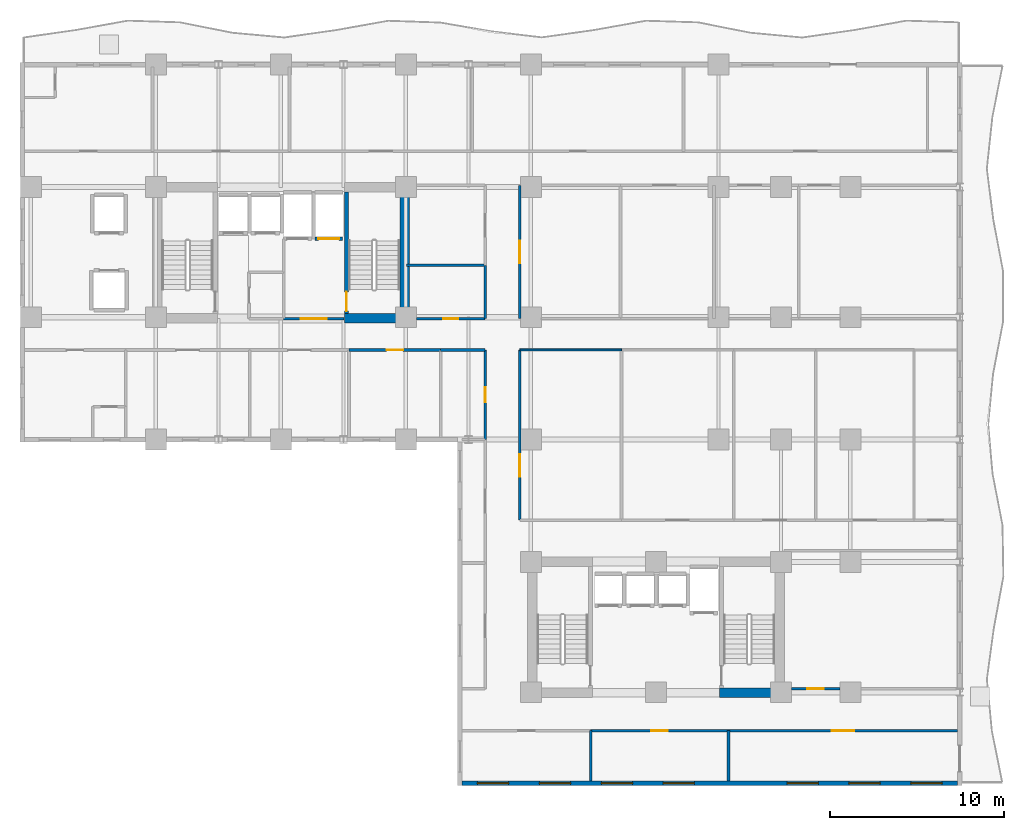
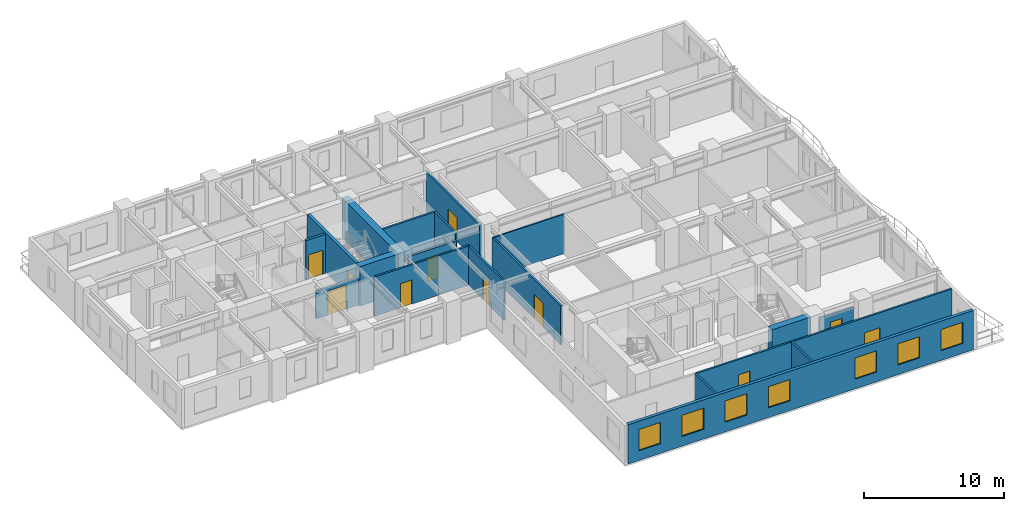
# One storey, part 4 of 11: 21 walls, 11 doors, 7 windows, 18 openings.
"""IFC4 building model written with IfcOpenShell, lengths in metres."""

from ifc_helpers import new_model, si_unit, direction, frame, frame_2d, origin, place, context, subcontext, project, spatial, rectangle, extrude, material, layer, layer_set, type_object, element, fill, save


model = new_model("IFC4")

# Units and contexts
model_context = context("Model", 3, precision=1e-05, world=origin(), true_north=direction((0.0, 1.0)))
body_context = subcontext(model_context, "Body", "Model", "MODEL_VIEW")
ifc_project = project(units=[si_unit("LENGTHUNIT", "METRE"), si_unit("AREAUNIT", "SQUARE_METRE"), si_unit("VOLUMEUNIT", "CUBIC_METRE"), si_unit("PLANEANGLEUNIT", "RADIAN"), si_unit("MASSUNIT", "GRAM", prefix="KILO")], contexts=[model_context])

# Site, building, storey
site_placement = place(None, origin())
site = spatial("IfcSite", under=ifc_project, at=site_placement, CompositionType="ELEMENT")
building_placement = place(site_placement, origin())
building = spatial("IfcBuilding", under=site, at=building_placement, Name="Kaliganga Portal Commons", CompositionType="ELEMENT")
storey_placement = place(building_placement, frame((0.0, 0.0, 100.800048828125)))
storey = spatial("IfcBuildingStorey", under=building, at=storey_placement, Name="L25", CompositionType="ELEMENT", Elevation=100.800048828125)

# Walls
ifc_material_1 = material(Name="Concrete C60/75", Category="concrete")
ifc_layer_1 = layer(ifc_material_1, 0.550048828125)
ifc_layer_set_1 = layer_set([ifc_layer_1], Name="Concrete C60/75")
wall_type_1 = type_object("IfcWallType", Name="WL-CORE-550", PredefinedType="SHEAR", material=ifc_layer_set_1)
wall_1_placement = place(storey_placement, frame((28.72509765625, 28.300048828125, 0.0), z_axis=(0.0, 0.0, 1.0), x_axis=(0.0, 1.0, 0.0)))
element("IfcWall", 1, at=wall_1_placement, inside=storey, type_object=wall_type_1, Name="Core A East Shear Wall L25", PredefinedType="SHEAR", context=body_context, shape_type="SweptSolid", body=[
    extrude(rectangle(XDim=8.099853515625, YDim=0.550048828125, at=frame_2d((4.0498046875, 0.0))), origin(), (0.0, 0.0, 1.0), 3.449951171875),
])
for number, where, z_axis, x_axis, name in (
    (2, (25.25, 28.574951171875, 0.0), (0.0, 0.0, 1.0), (1.0, 0.0, 0.0), "Core A S-East Shear Wall L25"),
    (3, (46.85009765625, 7.02490234375, 0.0), (0.0, 0.0, 1.0), (1.0, 0.0, 0.0), "Core B S-East Shear Wall L25"),
):
    element("IfcWall", number, at=place(storey_placement, frame(where, z_axis=z_axis, x_axis=x_axis)), inside=storey, type_object=wall_type_1, Name=name, PredefinedType="SHEAR", context=body_context, shape_type="SweptSolid", body=[
        extrude(rectangle(XDim=3.199951171875, YDim=0.550048828125, at=frame_2d((1.60009765625, 0.0))), origin(), (0.0, 0.0, 1.0), 3.449951171875),
    ])

# Wall, openings, windows
ifc_material_2 = material(Name="Insulated Aluminium-Clad Spandrel Assembly", Category="aluminium")
ifc_layer_2 = layer(ifc_material_2, 0.260009765625)
ifc_layer_set_2 = layer_set([ifc_layer_2], Name="Insulated Aluminium-Clad Spandrel Assembly")
wall_type_2 = type_object("IfcWallType", Name="WL-EXT-SPAND-260", PredefinedType="STANDARD", material=ifc_layer_set_2)
wall_2_placement = place(storey_placement, frame((60.56494140625, 1.800048828125, 0.0), z_axis=(0.0, 0.0, 1.0), x_axis=(-1.0, 0.0, 0.0)))
wall_2 = element("IfcWall", 4, at=wall_2_placement, inside=storey, type_object=wall_type_2, Name="Exterior Envelope Wall L25 P1-E00-S1", PredefinedType="STANDARD", context=body_context, shape_type="SweptSolid", body=[
    extrude(rectangle(XDim=28.530029296875, YDim=0.260009765625, at=frame_2d((14.26513671875, 0.0))), origin(), (0.0, 0.0, 1.0), 3.429931640625),
])
opening_1_placement = place(wall_2_placement, frame((0.883056640625, 0.0, 0.85009765625)))
opening_1 = element("IfcOpeningElement", 5, at=opening_1_placement, cuts=wall_2, Name="Opening W-01", PredefinedType="OPENING", context=body_context, shape_type="SweptSolid", body=[
    extrude(rectangle(XDim=1.800048828125, YDim=1.85009765625, at=frame_2d((0.89990234375, 0.925048828125))), frame((0.0, 0.14013671875, 0.0), z_axis=(0.0, -1.0, 0.0), x_axis=(1.0, 0.0, 0.0)), (0.0, 0.0, 1.0), 0.280029296875),
])
opening_2_placement = place(wall_2_placement, frame((4.449462890625, 0.0, 0.85009765625)))
opening_2 = element("IfcOpeningElement", 6, at=opening_2_placement, cuts=wall_2, Name="Opening W-01", PredefinedType="OPENING", context=body_context, shape_type="SweptSolid", body=[
    extrude(rectangle(XDim=1.800048828125, YDim=1.85009765625, at=frame_2d((0.89990234375, 0.925048828125))), frame((0.0, 0.14013671875, 0.0), z_axis=(0.0, -1.0, 0.0), x_axis=(1.0, 0.0, 0.0)), (0.0, 0.0, 1.0), 0.280029296875),
])
opening_3_placement = place(wall_2_placement, frame((8.015625, 0.0, 0.85009765625)))
opening_3 = element("IfcOpeningElement", 7, at=opening_3_placement, cuts=wall_2, Name="Opening W-01", PredefinedType="OPENING", context=body_context, shape_type="SweptSolid", body=[
    extrude(rectangle(XDim=1.800048828125, YDim=1.85009765625, at=frame_2d((0.89990234375, 0.925048828125))), frame((0.0, 0.14013671875, 0.0), z_axis=(0.0, -1.0, 0.0), x_axis=(1.0, 0.0, 0.0)), (0.0, 0.0, 1.0), 0.280029296875),
])
opening_4_placement = place(wall_2_placement, frame((15.148193359375, 0.0, 0.85009765625)))
opening_4 = element("IfcOpeningElement", 8, at=opening_4_placement, cuts=wall_2, Name="Opening W-01", PredefinedType="OPENING", context=body_context, shape_type="SweptSolid", body=[
    extrude(rectangle(XDim=1.800048828125, YDim=1.85009765625, at=frame_2d((0.89990234375, 0.925048828125))), frame((0.0, 0.14013671875, 0.0), z_axis=(0.0, -1.0, 0.0), x_axis=(1.0, 0.0, 0.0)), (0.0, 0.0, 1.0), 0.280029296875),
])
opening_5_placement = place(wall_2_placement, frame((18.71435546875, 0.0, 0.85009765625)))
opening_5 = element("IfcOpeningElement", 9, at=opening_5_placement, cuts=wall_2, Name="Opening W-01", PredefinedType="OPENING", context=body_context, shape_type="SweptSolid", body=[
    extrude(rectangle(XDim=1.800048828125, YDim=1.85009765625, at=frame_2d((0.89990234375, 0.925048828125))), frame((0.0, 0.14013671875, 0.0), z_axis=(0.0, -1.0, 0.0), x_axis=(1.0, 0.0, 0.0)), (0.0, 0.0, 1.0), 0.280029296875),
])
opening_6_placement = place(wall_2_placement, frame((22.280517578125, 0.0, 0.85009765625)))
opening_6 = element("IfcOpeningElement", 10, at=opening_6_placement, cuts=wall_2, Name="Opening W-01", PredefinedType="OPENING", context=body_context, shape_type="SweptSolid", body=[
    extrude(rectangle(XDim=1.800048828125, YDim=1.85009765625, at=frame_2d((0.89990234375, 0.925048828125))), frame((0.0, 0.14013671875, 0.0), z_axis=(0.0, -1.0, 0.0), x_axis=(1.0, 0.0, 0.0)), (0.0, 0.0, 1.0), 0.280029296875),
])
opening_7_placement = place(wall_2_placement, frame((25.846923828125, 0.0, 0.85009765625)))
opening_7 = element("IfcOpeningElement", 11, at=opening_7_placement, cuts=wall_2, Name="Opening W-01", PredefinedType="OPENING", context=body_context, shape_type="SweptSolid", body=[
    extrude(rectangle(XDim=1.800048828125, YDim=1.85009765625, at=frame_2d((0.89990234375, 0.925048828125))), frame((0.0, 0.14013671875, 0.0), z_axis=(0.0, -1.0, 0.0), x_axis=(1.0, 0.0, 0.0)), (0.0, 0.0, 1.0), 0.280029296875),
])
ifc_material_3 = material(Name="Thermally Broken Aluminium and Low-E Double Glazing", Category="aluminium")
window_type = type_object("IfcWindowType", Name="WIN-STD-1800", PartitioningType="DOUBLE_PANEL_VERTICAL", PredefinedType="WINDOW", material=ifc_material_3)
window_1_placement = place(opening_1_placement, origin())
window_1 = element("IfcWindow", 12, at=window_1_placement, inside=storey, type_object=window_type, Name="Facade Window L25-P1E00S1-00", OverallHeight=1.85009765625, OverallWidth=1.800048828125, PartitioningType="SINGLE_PANEL", PredefinedType="WINDOW", context=body_context, shape_type="SweptSolid", body=[
    extrude(rectangle(XDim=1.800048828125, YDim=1.85009765625, at=frame_2d((0.89990234375, 0.925048828125))), frame((0.0, 0.030029296875, 0.0), z_axis=(0.0, -1.0, 0.0), x_axis=(1.0, 0.0, 0.0)), (0.0, 0.0, 1.0), 0.06005859375),
])
fill(opening_1, window_1)
window_2_placement = place(opening_2_placement, origin())
window_2 = element("IfcWindow", 13, at=window_2_placement, inside=storey, type_object=window_type, Name="Facade Window L25-P1E00S1-01", OverallHeight=1.85009765625, OverallWidth=1.800048828125, PartitioningType="SINGLE_PANEL", PredefinedType="WINDOW", context=body_context, shape_type="SweptSolid", body=[
    extrude(rectangle(XDim=1.800048828125, YDim=1.85009765625, at=frame_2d((0.89990234375, 0.925048828125))), frame((0.0, 0.030029296875, 0.0), z_axis=(0.0, -1.0, 0.0), x_axis=(1.0, 0.0, 0.0)), (0.0, 0.0, 1.0), 0.06005859375),
])
fill(opening_2, window_2)
window_3_placement = place(opening_3_placement, origin())
window_3 = element("IfcWindow", 14, at=window_3_placement, inside=storey, type_object=window_type, Name="Facade Window L25-P1E00S1-02", OverallHeight=1.85009765625, OverallWidth=1.800048828125, PartitioningType="SINGLE_PANEL", PredefinedType="WINDOW", context=body_context, shape_type="SweptSolid", body=[
    extrude(rectangle(XDim=1.800048828125, YDim=1.85009765625, at=frame_2d((0.89990234375, 0.925048828125))), frame((0.0, 0.030029296875, 0.0), z_axis=(0.0, -1.0, 0.0), x_axis=(1.0, 0.0, 0.0)), (0.0, 0.0, 1.0), 0.06005859375),
])
fill(opening_3, window_3)
window_4_placement = place(opening_4_placement, origin())
window_4 = element("IfcWindow", 15, at=window_4_placement, inside=storey, type_object=window_type, Name="Facade Window L25-P1E00S1-04", OverallHeight=1.85009765625, OverallWidth=1.800048828125, PartitioningType="SINGLE_PANEL", PredefinedType="WINDOW", context=body_context, shape_type="SweptSolid", body=[
    extrude(rectangle(XDim=1.800048828125, YDim=1.85009765625, at=frame_2d((0.89990234375, 0.925048828125))), frame((0.0, 0.030029296875, 0.0), z_axis=(0.0, -1.0, 0.0), x_axis=(1.0, 0.0, 0.0)), (0.0, 0.0, 1.0), 0.06005859375),
])
fill(opening_4, window_4)
window_5_placement = place(opening_5_placement, origin())
window_5 = element("IfcWindow", 16, at=window_5_placement, inside=storey, type_object=window_type, Name="Facade Window L25-P1E00S1-05", OverallHeight=1.85009765625, OverallWidth=1.800048828125, PartitioningType="SINGLE_PANEL", PredefinedType="WINDOW", context=body_context, shape_type="SweptSolid", body=[
    extrude(rectangle(XDim=1.800048828125, YDim=1.85009765625, at=frame_2d((0.89990234375, 0.925048828125))), frame((0.0, 0.030029296875, 0.0), z_axis=(0.0, -1.0, 0.0), x_axis=(1.0, 0.0, 0.0)), (0.0, 0.0, 1.0), 0.06005859375),
])
fill(opening_5, window_5)
window_6_placement = place(opening_6_placement, origin())
window_6 = element("IfcWindow", 17, at=window_6_placement, inside=storey, type_object=window_type, Name="Facade Window L25-P1E00S1-06", OverallHeight=1.85009765625, OverallWidth=1.800048828125, PartitioningType="SINGLE_PANEL", PredefinedType="WINDOW", context=body_context, shape_type="SweptSolid", body=[
    extrude(rectangle(XDim=1.800048828125, YDim=1.85009765625, at=frame_2d((0.89990234375, 0.925048828125))), frame((0.0, 0.030029296875, 0.0), z_axis=(0.0, -1.0, 0.0), x_axis=(1.0, 0.0, 0.0)), (0.0, 0.0, 1.0), 0.06005859375),
])
fill(opening_6, window_6)
window_7_placement = place(opening_7_placement, origin())
window_7 = element("IfcWindow", 18, at=window_7_placement, inside=storey, type_object=window_type, Name="Facade Window L25-P1E00S1-07", OverallHeight=1.85009765625, OverallWidth=1.800048828125, PartitioningType="SINGLE_PANEL", PredefinedType="WINDOW", context=body_context, shape_type="SweptSolid", body=[
    extrude(rectangle(XDim=1.800048828125, YDim=1.85009765625, at=frame_2d((0.89990234375, 0.925048828125))), frame((0.0, 0.030029296875, 0.0), z_axis=(0.0, -1.0, 0.0), x_axis=(1.0, 0.0, 0.0)), (0.0, 0.0, 1.0), 0.06005859375),
])
fill(opening_7, window_7)

# Wall, opening, door
ifc_material_4 = material(Name="Fire-Rated Gypsum Board on Steel Stud", Category="steel")
ifc_layer_3 = layer(ifc_material_4, 0.14990234375)
ifc_layer_set_3 = layer_set([ifc_layer_3], Name="Fire-Rated Gypsum Board on Steel Stud")
wall_type_3 = type_object("IfcWallType", Name="WL-PART-CORR-150", PredefinedType="PARTITIONING", material=ifc_layer_set_3)
wall_3_placement = place(storey_placement, frame((47.3798828125, 4.840087890625, 0.0), z_axis=(0.0, 0.0, 1.0), x_axis=(1.0, 0.0, 0.0)))
wall_3 = element("IfcWall", 19, at=wall_3_placement, inside=storey, type_object=wall_type_3, Name="Interior Partition L25-007", PredefinedType="PARTITIONING", context=body_context, shape_type="SweptSolid", body=[
    extrude(rectangle(XDim=13.188232421875, YDim=0.14990234375, at=frame_2d((6.59423828125, 0.0))), origin(), (0.0, 0.0, 1.0), 3.429931640625),
])
opening_8_placement = place(wall_3_placement, frame((5.944091796875, 0.0, 0.0)))
opening_8 = element("IfcOpeningElement", 20, at=opening_8_placement, cuts=wall_3, Name="Opening RD-03", PredefinedType="OPENING", context=body_context, shape_type="SweptSolid", body=[
    extrude(rectangle(XDim=1.300048828125, YDim=2.1201171875, at=frame_2d((0.64990234375, 1.06005859375))), frame((0.0, 0.0849609375, 0.0), z_axis=(0.0, -1.0, 0.0), x_axis=(1.0, 0.0, 0.0)), (0.0, 0.0, 1.0), 0.169921875),
])
ifc_material_5 = material(Name="Glazed Timber Seminar Vision Door", Category="wood")
door_type_1 = type_object("IfcDoorType", Name="DR-STUDY-1300", OperationType="DOUBLE_DOOR_SINGLE_SWING", PredefinedType="DOOR", material=ifc_material_5)
door_1_placement = place(opening_8_placement, origin())
door_1 = element("IfcDoor", 21, at=door_1_placement, inside=storey, type_object=door_type_1, Name="Interior Door L25-BS03", OperationType="DOUBLE_DOOR_SINGLE_SWING", OverallHeight=2.1201171875, OverallWidth=1.300048828125, PredefinedType="DOOR", context=body_context, shape_type="SweptSolid", body=[
    extrude(rectangle(XDim=1.300048828125, YDim=2.1201171875, at=frame_2d((0.64990234375, 1.06005859375))), frame((0.0, 0.02490234375, 0.0), z_axis=(0.0, -1.0, 0.0), x_axis=(1.0, 0.0, 0.0)), (0.0, 0.0, 1.0), 0.050048828125),
])
fill(opening_8, door_1)

wall_4_placement = place(storey_placement, frame((51.0, 7.239990234375, 0.0), z_axis=(0.0, 0.0, 1.0), x_axis=(1.0, 0.0, 0.0)))
wall_4 = element("IfcWall", 22, at=wall_4_placement, inside=storey, type_object=wall_type_3, Name="Interior Partition L25-010", PredefinedType="PARTITIONING", context=body_context, shape_type="SweptSolid", body=[
    extrude(rectangle(XDim=2.800048828125, YDim=0.14990234375, at=frame_2d((1.39990234375, 0.0))), origin(), (0.0, 0.0, 1.0), 2.780029296875),
])
opening_9_placement = place(wall_4_placement, frame((0.925048828125, 0.0, 0.0)))
opening_9 = element("IfcOpeningElement", 23, at=opening_9_placement, cuts=wall_4, Name="Opening UD-01", PredefinedType="OPENING", context=body_context, shape_type="SweptSolid", body=[
    extrude(rectangle(XDim=0.949951171875, YDim=2.10009765625, at=frame_2d((0.47509765625, 1.050048828125))), frame((0.0, 0.0849609375, 0.0), z_axis=(0.0, -1.0, 0.0), x_axis=(1.0, 0.0, 0.0)), (0.0, 0.0, 1.0), 0.169921875),
])
ifc_material_6 = material(Name="Solid-Core Timber Acoustic Fire Door", Category="wood")
door_type_2 = type_object("IfcDoorType", Name="DR-UNIT-950", OperationType="NOTDEFINED", PredefinedType="DOOR", material=ifc_material_6)
door_2_placement = place(opening_9_placement, origin())
door_2 = element("IfcDoor", 24, at=door_2_placement, inside=storey, type_object=door_type_2, Name="Interior Door L25-BE01", OperationType="SINGLE_SWING_LEFT", OverallHeight=2.10009765625, OverallWidth=0.949951171875, PredefinedType="DOOR", context=body_context, shape_type="SweptSolid", body=[
    extrude(rectangle(XDim=0.949951171875, YDim=2.10009765625, at=frame_2d((0.47509765625, 1.050048828125))), frame((0.0, 0.02490234375, 0.0), z_axis=(0.0, -1.0, 0.0), x_axis=(1.0, 0.0, 0.0)), (0.0, 0.0, 1.0), 0.050048828125),
])
fill(opening_9, door_2)

wall_5_placement = place(storey_placement, frame((35.360107421875, 16.9599609375, 0.0), z_axis=(0.0, 0.0, 1.0), x_axis=(0.0, 1.0, 0.0)))
wall_5 = element("IfcWall", 25, at=wall_5_placement, inside=storey, type_object=wall_type_3, Name="Interior Partition L25-013", PredefinedType="PARTITIONING", context=body_context, shape_type="SweptSolid", body=[
    extrude(rectangle(XDim=9.800048828125, YDim=0.14990234375, at=frame_2d((4.89990234375, 0.0))), origin(), (0.0, 0.0, 1.0), 3.429931640625),
])
opening_10_placement = place(wall_5_placement, frame((2.486083984375, 0.0, 0.0)))
opening_10 = element("IfcOpeningElement", 26, at=opening_10_placement, cuts=wall_5, Name="Opening RD-03", PredefinedType="OPENING", context=body_context, shape_type="SweptSolid", body=[
    extrude(rectangle(XDim=1.300048828125, YDim=2.1201171875, at=frame_2d((0.64990234375, 1.06005859375))), frame((0.0, 0.0849609375, 0.0), z_axis=(0.0, -1.0, 0.0), x_axis=(1.0, 0.0, 0.0)), (0.0, 0.0, 1.0), 0.169921875),
])
door_3_placement = place(opening_10_placement, origin())
door_3 = element("IfcDoor", 27, at=door_3_placement, inside=storey, type_object=door_type_1, Name="Interior Door L25-BM01", OperationType="DOUBLE_DOOR_SINGLE_SWING", OverallHeight=2.1201171875, OverallWidth=1.300048828125, PredefinedType="DOOR", context=body_context, shape_type="SweptSolid", body=[
    extrude(rectangle(XDim=1.300048828125, YDim=2.1201171875, at=frame_2d((0.64990234375, 1.06005859375))), frame((0.0, 0.02490234375, 0.0), z_axis=(0.0, -1.0, 0.0), x_axis=(1.0, 0.0, 0.0)), (0.0, 0.0, 1.0), 0.050048828125),
])
fill(opening_10, door_3)

wall_6_placement = place(storey_placement, frame((39.43994140625, 4.840087890625, 0.0), z_axis=(0.0, 0.0, 1.0), x_axis=(1.0, 0.0, 0.0)))
wall_6 = element("IfcWall", 28, at=wall_6_placement, inside=storey, type_object=wall_type_3, Name="Interior Partition L25-016", PredefinedType="PARTITIONING", context=body_context, shape_type="SweptSolid", body=[
    extrude(rectangle(XDim=7.93994140625, YDim=0.14990234375, at=frame_2d((3.969970703125, 0.0))), origin(), (0.0, 0.0, 1.0), 3.429931640625),
])
opening_11_placement = place(wall_6_placement, frame((3.4951171875, 0.0, 0.0)))
opening_11 = element("IfcOpeningElement", 29, at=opening_11_placement, cuts=wall_6, Name="Opening UD-01", PredefinedType="OPENING", context=body_context, shape_type="SweptSolid", body=[
    extrude(rectangle(XDim=0.949951171875, YDim=2.10009765625, at=frame_2d((0.47509765625, 1.050048828125))), frame((0.0, 0.0849609375, 0.0), z_axis=(0.0, -1.0, 0.0), x_axis=(1.0, 0.0, 0.0)), (0.0, 0.0, 1.0), 0.169921875),
])
door_4_placement = place(opening_11_placement, origin())
door_4 = element("IfcDoor", 30, at=door_4_placement, inside=storey, type_object=door_type_2, Name="Interior Door L25-BS02", OperationType="SINGLE_SWING_RIGHT", OverallHeight=2.10009765625, OverallWidth=0.949951171875, PredefinedType="DOOR", context=body_context, shape_type="SweptSolid", body=[
    extrude(rectangle(XDim=0.949951171875, YDim=2.10009765625, at=frame_2d((0.47509765625, 1.050048828125))), frame((0.0, 0.02490234375, 0.0), z_axis=(0.0, -1.0, 0.0), x_axis=(1.0, 0.0, 0.0)), (0.0, 0.0, 1.0), 0.050048828125),
])
fill(opening_11, door_4)

wall_7_placement = place(storey_placement, frame((35.360107421875, 28.56005859375, 0.0), z_axis=(0.0, 0.0, 1.0), x_axis=(0.0, 1.0, 0.0)))
wall_7 = element("IfcWall", 31, at=wall_7_placement, inside=storey, type_object=wall_type_3, Name="Interior Partition L25-018", PredefinedType="PARTITIONING", context=body_context, shape_type="SweptSolid", body=[
    extrude(rectangle(XDim=7.679931640625, YDim=0.14990234375, at=frame_2d((3.83984375, 0.0))), origin(), (0.0, 0.0, 1.0), 3.429931640625),
])
opening_12_placement = place(wall_7_placement, frame((3.18994140625, 0.0, 0.0)))
opening_12 = element("IfcOpeningElement", 32, at=opening_12_placement, cuts=wall_7, Name="Opening RD-03", PredefinedType="OPENING", context=body_context, shape_type="SweptSolid", body=[
    extrude(rectangle(XDim=1.300048828125, YDim=2.1201171875, at=frame_2d((0.64990234375, 1.06005859375))), frame((0.0, 0.0849609375, 0.0), z_axis=(0.0, -1.0, 0.0), x_axis=(1.0, 0.0, 0.0)), (0.0, 0.0, 1.0), 0.169921875),
])
door_5_placement = place(opening_12_placement, origin())
door_5 = element("IfcDoor", 33, at=door_5_placement, inside=storey, type_object=door_type_1, Name="Interior Door L25-BK01", OperationType="DOUBLE_DOOR_SINGLE_SWING", OverallHeight=2.1201171875, OverallWidth=1.300048828125, PredefinedType="DOOR", context=body_context, shape_type="SweptSolid", body=[
    extrude(rectangle(XDim=1.300048828125, YDim=2.1201171875, at=frame_2d((0.64990234375, 1.06005859375))), frame((0.0, 0.02490234375, 0.0), z_axis=(0.0, -1.0, 0.0), x_axis=(1.0, 0.0, 0.0)), (0.0, 0.0, 1.0), 0.050048828125),
])
fill(opening_12, door_5)

wall_8_placement = place(storey_placement, frame((25.52001953125, 26.760009765625, 0.0), z_axis=(0.0, 0.0, 1.0), x_axis=(1.0, 0.0, 0.0)))
wall_8 = element("IfcWall", 34, at=wall_8_placement, inside=storey, type_object=wall_type_3, Name="Interior Partition L25-031", PredefinedType="PARTITIONING", context=body_context, shape_type="SweptSolid", body=[
    extrude(rectangle(XDim=5.280029296875, YDim=0.14990234375, at=frame_2d((2.64013671875, 0.0))), origin(), (0.0, 0.0, 1.0), 3.429931640625),
])
opening_13_placement = place(wall_8_placement, frame((2.1650390625, 0.0, 0.0)))
opening_13 = element("IfcOpeningElement", 35, at=opening_13_placement, cuts=wall_8, Name="Opening UD-01", PredefinedType="OPENING", context=body_context, shape_type="SweptSolid", body=[
    extrude(rectangle(XDim=0.949951171875, YDim=2.10009765625, at=frame_2d((0.47509765625, 1.050048828125))), frame((0.0, 0.0849609375, 0.0), z_axis=(0.0, -1.0, 0.0), x_axis=(1.0, 0.0, 0.0)), (0.0, 0.0, 1.0), 0.169921875),
])
door_6_placement = place(opening_13_placement, origin())
door_6 = element("IfcDoor", 36, at=door_6_placement, inside=storey, type_object=door_type_2, Name="Interior Door L25-AS04", OperationType="SINGLE_SWING_LEFT", OverallHeight=2.10009765625, OverallWidth=0.949951171875, PredefinedType="DOOR", context=body_context, shape_type="SweptSolid", body=[
    extrude(rectangle(XDim=0.949951171875, YDim=2.10009765625, at=frame_2d((0.47509765625, 1.050048828125))), frame((0.0, 0.02490234375, 0.0), z_axis=(0.0, -1.0, 0.0), x_axis=(1.0, 0.0, 0.0)), (0.0, 0.0, 1.0), 0.050048828125),
])
fill(opening_13, door_6)

wall_9_placement = place(storey_placement, frame((33.360107421875, 21.60009765625, 0.0), z_axis=(0.0, 0.0, 1.0), x_axis=(0.0, 1.0, 0.0)))
wall_9 = element("IfcWall", 37, at=wall_9_placement, inside=storey, type_object=wall_type_3, Name="Interior Partition L25-032", PredefinedType="PARTITIONING", context=body_context, shape_type="SweptSolid", body=[
    extrude(rectangle(XDim=5.159912109375, YDim=0.14990234375, at=frame_2d((2.580078125, 0.0))), origin(), (0.0, 0.0, 1.0), 3.429931640625),
])
opening_14_placement = place(wall_9_placement, frame((2.155029296875, 0.0, 0.0)))
opening_14 = element("IfcOpeningElement", 38, at=opening_14_placement, cuts=wall_9, Name="Opening WD-01", PredefinedType="OPENING", context=body_context, shape_type="SweptSolid", body=[
    extrude(rectangle(XDim=0.85009765625, YDim=2.0400390625, at=frame_2d((0.425048828125, 1.02001953125))), frame((0.0, 0.0849609375, 0.0), z_axis=(0.0, -1.0, 0.0), x_axis=(1.0, 0.0, 0.0)), (0.0, 0.0, 1.0), 0.169921875),
])
ifc_material_7 = material(Name="Moisture-Resistant Laminate Timber Door", Category="wood")
door_type_3 = type_object("IfcDoorType", Name="DR-WET-850", OperationType="NOTDEFINED", PredefinedType="DOOR", material=ifc_material_7)
door_7_placement = place(opening_14_placement, origin())
door_7 = element("IfcDoor", 39, at=door_7_placement, inside=storey, type_object=door_type_3, Name="Interior Door L25-AS05", OperationType="SINGLE_SWING_RIGHT", OverallHeight=2.0400390625, OverallWidth=0.85009765625, PredefinedType="DOOR", context=body_context, shape_type="SweptSolid", body=[
    extrude(rectangle(XDim=0.85009765625, YDim=2.0400390625, at=frame_2d((0.425048828125, 1.02001953125))), frame((0.0, 0.02490234375, 0.0), z_axis=(0.0, -1.0, 0.0), x_axis=(1.0, 0.0, 0.0)), (0.0, 0.0, 1.0), 0.050048828125),
])
fill(opening_14, door_7)

wall_10_placement = place(storey_placement, frame((29.39990234375, 28.56005859375, 0.0), z_axis=(0.0, 0.0, 1.0), x_axis=(1.0, 0.0, 0.0)))
wall_10 = element("IfcWall", 40, at=wall_10_placement, inside=storey, type_object=wall_type_3, Name="Interior Partition L25-037", PredefinedType="PARTITIONING", context=body_context, shape_type="SweptSolid", body=[
    extrude(rectangle(XDim=3.960205078125, YDim=0.14990234375, at=frame_2d((1.97998046875, 0.0))), origin(), (0.0, 0.0, 1.0), 2.780029296875),
])
opening_15_placement = place(wall_10_placement, frame((1.550048828125, 0.0, 0.0)))
opening_15 = element("IfcOpeningElement", 41, at=opening_15_placement, cuts=wall_10, Name="Opening WD-02", PredefinedType="OPENING", context=body_context, shape_type="SweptSolid", body=[
    extrude(rectangle(XDim=0.860107421875, YDim=2.02001953125, at=frame_2d((0.43017578125, 1.010009765625))), frame((0.0, 0.0849609375, 0.0), z_axis=(0.0, -1.0, 0.0), x_axis=(1.0, 0.0, 0.0)), (0.0, 0.0, 1.0), 0.169921875),
])
ifc_material_8 = material(Name="Fire-Rated Utility Closet Door", Category="wood")
door_type_4 = type_object("IfcDoorType", Name="DR-STORE-800", OperationType="NOTDEFINED", PredefinedType="DOOR", material=ifc_material_8)
door_8_placement = place(opening_15_placement, origin())
door_8 = element("IfcDoor", 42, at=door_8_placement, inside=storey, type_object=door_type_4, Name="Interior Door L25-CSRV_A1", OperationType="SINGLE_SWING_RIGHT", OverallHeight=2.02001953125, OverallWidth=0.860107421875, PredefinedType="DOOR", context=body_context, shape_type="SweptSolid", body=[
    extrude(rectangle(XDim=0.860107421875, YDim=2.02001953125, at=frame_2d((0.43017578125, 1.010009765625))), frame((0.0, 0.02490234375, 0.0), z_axis=(0.0, -1.0, 0.0), x_axis=(1.0, 0.0, 0.0)), (0.0, 0.0, 1.0), 0.050048828125),
])
fill(opening_15, door_8)

# Walls
wall_11_placement = place(storey_placement, frame((33.360107421875, 28.56005859375, 0.0), z_axis=(0.0, 0.0, 1.0), x_axis=(0.0, 1.0, 0.0)))
element("IfcWall", 43, at=wall_11_placement, inside=storey, type_object=wall_type_3, Name="Interior Partition L25-039", PredefinedType="PARTITIONING", context=body_context, shape_type="SweptSolid", body=[
    extrude(rectangle(XDim=3.079833984375, YDim=0.14990234375, at=frame_2d((1.5400390625, 0.0))), origin(), (0.0, 0.0, 1.0), 3.429931640625),
])
wall_12_placement = place(storey_placement, frame((30.800048828125, 26.760009765625, 0.0), z_axis=(0.0, 0.0, 1.0), x_axis=(1.0, 0.0, 0.0)))
element("IfcWall", 44, at=wall_12_placement, inside=storey, type_object=wall_type_3, Name="Interior Partition L25-043", PredefinedType="PARTITIONING", context=body_context, shape_type="SweptSolid", body=[
    extrude(rectangle(XDim=2.56005859375, YDim=0.14990234375, at=frame_2d((1.280029296875, 0.0))), origin(), (0.0, 0.0, 1.0), 3.429931640625),
])

# Wall, opening, door
wall_13_placement = place(storey_placement, frame((21.760009765625, 28.56005859375, 0.0), z_axis=(0.0, 0.0, 1.0), x_axis=(1.0, 0.0, 0.0)))
wall_13 = element("IfcWall", 45, at=wall_13_placement, inside=storey, type_object=wall_type_3, Name="Interior Partition L25-074", PredefinedType="PARTITIONING", context=body_context, shape_type="SweptSolid", body=[
    extrude(rectangle(XDim=3.47998046875, YDim=0.14990234375, at=frame_2d((1.739990234375, 0.0))), origin(), (0.0, 0.0, 1.0), 2.429931640625),
])
opening_16_placement = place(wall_13_placement, frame((0.989990234375, 0.0, 0.0)))
opening_16 = element("IfcOpeningElement", 46, at=opening_16_placement, cuts=wall_13, Name="Opening FD-01", PredefinedType="OPENING", context=body_context, shape_type="SweptSolid", body=[
    extrude(rectangle(XDim=1.5, YDim=2.10009765625, at=frame_2d((0.75, 1.050048828125))), frame((0.0, 0.0849609375, 0.0), z_axis=(0.0, -1.0, 0.0), x_axis=(1.0, 0.0, 0.0)), (0.0, 0.0, 1.0), 0.169921875),
])
ifc_material_9 = material(Name="Fire-Rated Hardwood and Georgian-Wired Vision Panel", Category="wood")
door_type_5 = type_object("IfcDoorType", Name="DR-LOBBY-1500", OperationType="DOUBLE_DOOR_SINGLE_SWING", PredefinedType="DOOR", material=ifc_material_9)
door_9_placement = place(opening_16_placement, origin())
door_9 = element("IfcDoor", 47, at=door_9_placement, inside=storey, type_object=door_type_5, Name="Interior Door L25-FFLOB_A", OperationType="DOUBLE_DOOR_SINGLE_SWING", OverallHeight=2.10009765625, OverallWidth=1.5, PredefinedType="DOOR", context=body_context, shape_type="SweptSolid", body=[
    extrude(rectangle(XDim=1.5, YDim=2.10009765625, at=frame_2d((0.75, 1.050048828125))), frame((0.0, 0.02490234375, 0.0), z_axis=(0.0, -1.0, 0.0), x_axis=(1.0, 0.0, 0.0)), (0.0, 0.0, 1.0), 0.050048828125),
])
fill(opening_16, door_9)

# Walls
ifc_material_10 = material(Name="Moisture-Resistant Gypsum Partition", Category="gypsum")
ifc_layer_4 = layer(ifc_material_10, 0.114990234375)
ifc_layer_set_4 = layer_set([ifc_layer_4], Name="Moisture-Resistant Gypsum Partition")
wall_type_4 = type_object("IfcWallType", Name="WL-PART-ROOM-115", PredefinedType="PARTITIONING", material=ifc_layer_set_4)
wall_14_placement = place(storey_placement, frame((35.360107421875, 26.760009765625, 0.0), z_axis=(0.0, 0.0, 1.0), x_axis=(1.0, 0.0, 0.0)))
element("IfcWall", 48, at=wall_14_placement, inside=storey, type_object=wall_type_4, Name="Interior Partition L25-058", PredefinedType="PARTITIONING", context=body_context, shape_type="SweptSolid", body=[
    extrude(rectangle(XDim=5.85986328125, YDim=0.114990234375, at=frame_2d((2.929931640625, 0.0))), origin(), (0.0, 0.0, 1.0), 3.429931640625),
])
ifc_material_11 = material(Name="Twin-Stud Acoustic Gypsum Partition", Category="gypsum")
ifc_layer_5 = layer(ifc_material_11, 0.1650390625)
ifc_layer_set_5 = layer_set([ifc_layer_5], Name="Twin-Stud Acoustic Gypsum Partition")
wall_type_5 = type_object("IfcWallType", Name="WL-PART-UNIT-165", PredefinedType="PARTITIONING", material=ifc_layer_set_5)
wall_15_placement = place(storey_placement, frame((28.840087890625, 31.639892578125, 0.0), z_axis=(0.0, 0.0, 1.0), x_axis=(1.0, 0.0, 0.0)))
element("IfcWall", 49, at=wall_15_placement, inside=storey, type_object=wall_type_5, Name="Interior Partition L25-073", PredefinedType="PARTITIONING", context=body_context, shape_type="SweptSolid", body=[
    extrude(rectangle(XDim=4.52001953125, YDim=0.1650390625, at=frame_2d((2.260009765625, 0.0))), origin(), (0.0, 0.0, 1.0), 3.429931640625),
])
for number, where, z_axis, x_axis, name in (
    (50, (39.43994140625, 1.931884765625, 0.0), (0.0, 0.0, 1.0), (0.0, 1.0, 0.0), "Interior Partition L25-076"),
    (51, (47.3798828125, 1.931884765625, 0.0), (0.0, 0.0, 1.0), (0.0, 1.0, 0.0), "Interior Partition L25-077"),
):
    element("IfcWall", number, at=place(storey_placement, frame(where, z_axis=z_axis, x_axis=x_axis)), inside=storey, type_object=wall_type_5, Name=name, PredefinedType="PARTITIONING", context=body_context, shape_type="SweptSolid", body=[
        extrude(rectangle(XDim=2.908203125, YDim=0.1650390625, at=frame_2d((1.4541015625, 0.0))), origin(), (0.0, 0.0, 1.0), 3.429931640625),
    ])

# Wall, opening, door
ifc_material_12 = material(Name="Fire-Rated Shaftwall Masonry Assembly", Category="masonry")
ifc_layer_6 = layer(ifc_material_12, 0.199951171875)
ifc_layer_set_6 = layer_set([ifc_layer_6], Name="Fire-Rated Shaftwall Masonry Assembly")
wall_type_6 = type_object("IfcWallType", Name="WL-SHAFT-200", PredefinedType="PARTITIONING", material=ifc_layer_set_6)
wall_16_placement = place(storey_placement, frame((23.550048828125, 33.159912109375, 0.0), z_axis=(0.0, 0.0, 1.0), x_axis=(1.0, 0.0, 0.0)))
wall_16 = element("IfcWall", 52, at=wall_16_placement, inside=storey, type_object=wall_type_6, Name="Lift FFL-2 Hoistway Shaft Wall L25-S", PredefinedType="PARTITIONING", context=body_context, shape_type="SweptSolid", body=[
    extrude(rectangle(XDim=1.599853515625, YDim=0.199951171875, at=frame_2d((0.7998046875, 0.0))), origin(), (0.0, 0.0, 1.0), 3.429931640625),
])
opening_17_placement = place(wall_16_placement, frame((0.199951171875, 0.0, 0.0)))
opening_17 = element("IfcOpeningElement", 53, at=opening_17_placement, cuts=wall_16, Name="Opening LD-02", PredefinedType="OPENING", context=body_context, shape_type="SweptSolid", body=[
    extrude(rectangle(XDim=1.199951171875, YDim=2.1201171875, at=frame_2d((0.60009765625, 1.06005859375))), frame((0.0, 0.10986328125, 0.0), z_axis=(0.0, -1.0, 0.0), x_axis=(1.0, 0.0, 0.0)), (0.0, 0.0, 1.0), 0.219970703125),
])
ifc_material_13 = material(Name="Brushed Stainless Steel 316 Stretcher Lift Landing Door", Category="steel")
door_type_6 = type_object("IfcDoorType", Name="DR-LIFT-1200", OperationType="SLIDING_TO_RIGHT", PredefinedType="DOOR", material=ifc_material_13)
door_10_placement = place(opening_17_placement, origin())
door_10 = element("IfcDoor", 54, at=door_10_placement, inside=storey, type_object=door_type_6, Name="Lift FFL-2 Sliding Landing Door L25", OperationType="SLIDING_TO_RIGHT", OverallHeight=2.1201171875, OverallWidth=1.199951171875, PredefinedType="DOOR", context=body_context, shape_type="SweptSolid", body=[
    extrude(rectangle(XDim=1.199951171875, YDim=2.1201171875, at=frame_2d((0.60009765625, 1.06005859375))), frame((0.0, 0.02490234375, 0.0), z_axis=(0.0, -1.0, 0.0), x_axis=(1.0, 0.0, 0.0)), (0.0, 0.0, 1.0), 0.050048828125),
])
fill(opening_17, door_10)

ifc_material_14 = material(Name="Concrete C50/60", Category="concrete")
ifc_layer_7 = layer(ifc_material_14, 0.25)
ifc_layer_set_7 = layer_set([ifc_layer_7], Name="Concrete C50/60")
wall_type_7 = type_object("IfcWallType", Name="WL-STAIR-250", PredefinedType="SHEAR", material=ifc_layer_set_7)
wall_17_placement = place(storey_placement, frame((25.375, 28.85009765625, 0.0), z_axis=(0.0, 0.0, 1.0), x_axis=(0.0, 1.0, 0.0)))
wall_17 = element("IfcWall", 55, at=wall_17_placement, inside=storey, type_object=wall_type_7, Name="Stair A2 Enclosure Shear Wall L25", PredefinedType="SHEAR", context=body_context, shape_type="SweptSolid", body=[
    extrude(rectangle(XDim=7.0, YDim=0.25, at=frame_2d((3.5, 0.0))), origin(), (0.0, 0.0, 1.0), 3.449951171875),
])
opening_18_placement = place(wall_17_placement, frame((0.14990234375, 0.0, 0.0)))
opening_18 = element("IfcOpeningElement", 56, at=opening_18_placement, cuts=wall_17, Name="Opening SD-01", PredefinedType="OPENING", context=body_context, shape_type="SweptSolid", body=[
    extrude(rectangle(XDim=1.10009765625, YDim=2.080078125, at=frame_2d((0.550048828125, 1.0400390625))), frame((0.0, 0.135009765625, 0.0), z_axis=(0.0, -1.0, 0.0), x_axis=(1.0, 0.0, 0.0)), (0.0, 0.0, 1.0), 0.27001953125),
])
ifc_material_15 = material(Name="Galvanized Steel Fire Door Leaf and Frame", Category="steel")
door_type_7 = type_object("IfcDoorType", Name="DR-STAIR-1100", OperationType="NOTDEFINED", PredefinedType="DOOR", material=ifc_material_15)
door_11_placement = place(opening_18_placement, origin())
door_11 = element("IfcDoor", 57, at=door_11_placement, inside=storey, type_object=door_type_7, Name="Protected Stair ST-A2 Fire Door L25", OperationType="SINGLE_SWING_RIGHT", OverallHeight=2.080078125, OverallWidth=1.10009765625, PredefinedType="DOOR", context=body_context, shape_type="SweptSolid", body=[
    extrude(rectangle(XDim=1.10009765625, YDim=2.080078125, at=frame_2d((0.550048828125, 1.0400390625))), frame((0.0, 0.02490234375, 0.0), z_axis=(0.0, -1.0, 0.0), x_axis=(1.0, 0.0, 0.0)), (0.0, 0.0, 1.0), 0.050048828125),
])
fill(opening_18, door_11)

save(model, "model.ifc")
